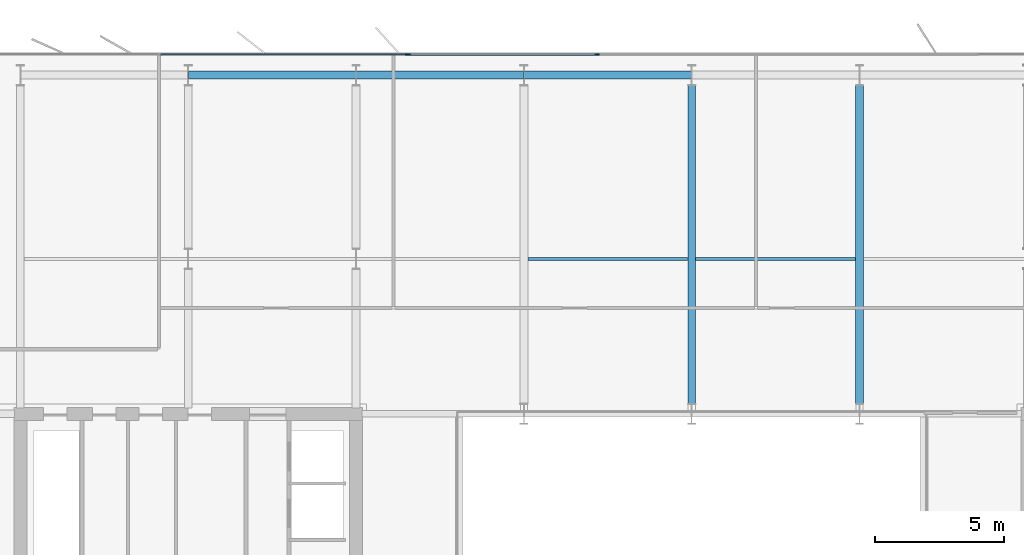
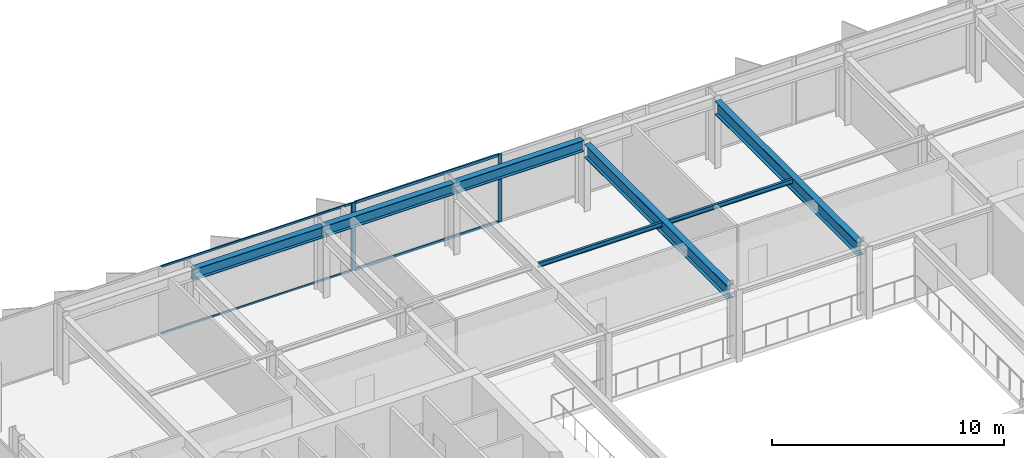
# One storey, part 11 of 23: 7 beams, 7 members, 2 elements without a shape of their own.
"""IFC4 building model written with IfcOpenShell, lengths in metres."""

from ifc_helpers import new_model, si_unit, direction, frame, origin, origin_2d, place, context, subcontext, project, spatial, rectangle, i_section, extrude, material, layer, layer_set, material_profile, profile_set, type_object, element, aggregate, save


model = new_model("IFC4")

# Units and contexts
model_context = context("Model", 3, precision=1e-05, world=origin(), true_north=direction((0.0, 1.0)))
body_context = subcontext(model_context, "Body", "Model", "MODEL_VIEW")
ifc_project = project(units=[si_unit("LENGTHUNIT", "METRE"), si_unit("AREAUNIT", "SQUARE_METRE"), si_unit("VOLUMEUNIT", "CUBIC_METRE"), si_unit("PLANEANGLEUNIT", "RADIAN"), si_unit("MASSUNIT", "GRAM", prefix="KILO")], contexts=[model_context])

# Site, building, storey
site_placement = place(None, origin())
site = spatial("IfcSite", under=ifc_project, at=site_placement, CompositionType="ELEMENT")
building_placement = place(site_placement, origin())
building = spatial("IfcBuilding", under=site, at=building_placement, Name="Putna Gate Headquarters", CompositionType="ELEMENT")
storey_placement = place(building_placement, frame((0.0, 0.0, 213.800048828125)))
storey = spatial("IfcBuildingStorey", under=building, at=storey_placement, Name="L53", CompositionType="ELEMENT", Elevation=213.800048828125)

# Beams
ifc_material_1 = material(Name="Steel S355J2", Category="steel")
ifc_material_profile_1 = material_profile(ifc_material_1, i_section(OverallWidth=0.300048828125, OverallDepth=0.699951171875, WebThickness=0.01708984375, FlangeThickness=0.031982421875, at=origin_2d()), Name="Steel S355J2")
ifc_profile_set_1 = profile_set([ifc_material_profile_1], Name="Steel S355J2")
beam_type_1 = type_object("IfcBeamType", Name="BM-GIRD-B-HEB700", PredefinedType="USERDEFINED", material=ifc_profile_set_1)
for number, where, z_axis, x_axis, name in (
    (1, (39.0, 33.39501953125, 3.22998046875), (0.0, 1.0, 0.0), (-1.0, 0.0, 0.0), "L53 North Primary Girder X39"),
    (2, (45.5, 33.39501953125, 3.22998046875), (0.0, 1.0, 0.0), (-1.0, 0.0, 0.0), "L53 North Primary Girder X45"),
):
    element("IfcBeam", number, at=place(storey_placement, frame(where, z_axis=z_axis, x_axis=x_axis)), inside=storey, type_object=beam_type_1, Name=name, ObjectType="GIRDER", PredefinedType="USERDEFINED", context=body_context, shape_type="SweptSolid", body=[
        extrude(i_section(OverallWidth=0.300048828125, OverallDepth=0.699951171875, WebThickness=0.01708984375, FlangeThickness=0.031982421875, at=origin_2d()), origin(), (0.0, 0.0, 1.0), 12.330078125),
    ])
ifc_material_profile_2 = material_profile(ifc_material_1, i_section(OverallWidth=0.1201171875, OverallDepth=0.239990234375, WebThickness=0.006103515625, FlangeThickness=0.009765625, at=origin_2d()), Name="Steel S355J2")
ifc_profile_set_2 = profile_set([ifc_material_profile_2], Name="Steel S355J2")
beam_type_2 = type_object("IfcBeamType", Name="BM-SEC-Z4-IPE240", PredefinedType="JOIST", material=ifc_profile_set_2)
for number, where, z_axis, x_axis, name in (
    (3, (32.654052734375, 39.0, 3.4599609375), (1.0, 0.0, 0.0), (0.0, 1.0, 0.0), "L53 North Secondary Beam 4"),
    (4, (39.154052734375, 39.0, 3.4599609375), (1.0, 0.0, 0.0), (0.0, 1.0, 0.0), "L53 North Secondary Beam 5"),
):
    element("IfcBeam", number, at=place(storey_placement, frame(where, z_axis=z_axis, x_axis=x_axis)), inside=storey, type_object=beam_type_2, Name=name, PredefinedType="JOIST", context=body_context, shape_type="SweptSolid", body=[
        extrude(i_section(OverallWidth=0.1201171875, OverallDepth=0.239990234375, WebThickness=0.006103515625, FlangeThickness=0.009765625, at=origin_2d()), origin(), (0.0, 0.0, 1.0), 6.19189453125),
    ])
ifc_material_profile_3 = material_profile(ifc_material_1, i_section(OverallWidth=0.300048828125, OverallDepth=0.590087890625, WebThickness=0.012939453125, FlangeThickness=0.02490234375, at=origin_2d()), Name="Steel S355J2")
ifc_profile_set_3 = profile_set([ifc_material_profile_3], Name="Steel S355J2")
beam_type_3 = type_object("IfcBeamType", Name="BM-SPAN-Z4-HEA600", PredefinedType="SPANDREL", material=ifc_profile_set_3)
for number, where, z_axis, x_axis, name in (
    (5, (19.506103515625, 46.1201171875, 3.284912109375), (1.0, 0.0, 0.0), (0.0, 1.0, 0.0), "L53 N Perimeter Spandrel 2"),
    (6, (26.006103515625, 46.1201171875, 3.284912109375), (1.0, 0.0, 0.0), (0.0, 1.0, 0.0), "L53 N Perimeter Spandrel 3"),
    (7, (32.506103515625, 46.1201171875, 3.284912109375), (1.0, 0.0, 0.0), (0.0, 1.0, 0.0), "L53 N Perimeter Spandrel 4"),
):
    element("IfcBeam", number, at=place(storey_placement, frame(where, z_axis=z_axis, x_axis=x_axis)), inside=storey, type_object=beam_type_3, Name=name, PredefinedType="SPANDREL", context=body_context, shape_type="SweptSolid", body=[
        extrude(i_section(OverallWidth=0.300048828125, OverallDepth=0.590087890625, WebThickness=0.012939453125, FlangeThickness=0.02490234375, at=origin_2d()), origin(), (0.0, 0.0, 1.0), 6.48779296875),
    ])

# Curtain wall, member
ifc_material_2 = material(Name="Anodised bronze aluminium curtain wall", Category="aluminium")
ifc_layer_1 = layer(ifc_material_2, 0.139892578125)
ifc_layer_set_1 = layer_set([ifc_layer_1], Name="Anodised bronze aluminium curtain wall")
curtain_wall_type_1 = type_object("IfcCurtainWallType", Name="CW-SYS-Z4", PredefinedType="USERDEFINED", material=ifc_layer_set_1)
curtain_wall_1_placement = place(storey_placement, origin())
curtain_wall_1 = element("IfcCurtainWall", 8, at=curtain_wall_1_placement, inside=storey, type_object=curtain_wall_type_1, Name="L53 North West Curtain Wall", ObjectType="STICK CURTAIN WALL", PredefinedType="USERDEFINED")
ifc_material_3 = material(Name="Anodised bronze aluminium EN AW-6060", Category="aluminium")
ifc_material_profile_4 = material_profile(ifc_material_3, rectangle(XDim=0.06005859375, YDim=0.139892578125, at=origin_2d()), Name="Anodised bronze aluminium EN AW-6060")
ifc_profile_set_4 = profile_set([ifc_material_profile_4], Name="Anodised bronze aluminium EN AW-6060")
member_type_1 = type_object("IfcMemberType", Name="MULL-CWM-4", PredefinedType="MULLION", material=ifc_profile_set_4)
member_1_placement = place(storey_placement, frame((27.969970703125, 46.919921875, 0.0), z_axis=(0.0, 0.0, 1.0), x_axis=(0.0, 1.0, 0.0)))
member_1 = element("IfcMember", 9, at=member_1_placement, type_object=member_type_1, Name="CWS-4 mullion 3", PredefinedType="MULLION", context=body_context, shape_type="SweptSolid", body=[
    extrude(rectangle(XDim=0.06005859375, YDim=0.139892578125, at=origin_2d()), origin(), (0.0, 0.0, 1.0), 3.579833984375),
])

# Curtain wall, members
ifc_layer_2 = layer(ifc_material_2, 0.179931640625)
ifc_layer_set_2 = layer_set([ifc_layer_2], Name="Anodised bronze aluminium curtain wall")
curtain_wall_type_2 = type_object("IfcCurtainWallType", Name="CW-SYS-ATR", PredefinedType="USERDEFINED", material=ifc_layer_set_2)
curtain_wall_2_placement = place(storey_placement, origin())
curtain_wall_2 = element("IfcCurtainWall", 10, at=curtain_wall_2_placement, inside=storey, type_object=curtain_wall_type_2, Name="L53 North Atrium Clear Glazing", ObjectType="ATRIUM GLAZING", PredefinedType="USERDEFINED")
ifc_material_profile_5 = material_profile(ifc_material_3, rectangle(XDim=0.070068359375, YDim=0.179931640625, at=origin_2d()), Name="Anodised bronze aluminium EN AW-6060")
ifc_profile_set_5 = profile_set([ifc_material_profile_5], Name="Anodised bronze aluminium EN AW-6060")
member_type_2 = type_object("IfcMemberType", Name="MULL-CWM-AT", PredefinedType="MULLION", material=ifc_profile_set_5)
member_2_placement = place(storey_placement, frame((28.034912109375, 46.919921875, 0.0), z_axis=(0.0, 0.0, 1.0), x_axis=(0.0, 1.0, 0.0)))
member_2 = element("IfcMember", 11, at=member_2_placement, type_object=member_type_2, Name="CWS-AT mullion 1", PredefinedType="MULLION", context=body_context, shape_type="SweptSolid", body=[
    extrude(rectangle(XDim=0.070068359375, YDim=0.179931640625, at=origin_2d()), origin(), (0.0, 0.0, 1.0), 3.579833984375),
])
member_3_placement = place(storey_placement, frame((35.333251953125, 46.919921875, 0.0), z_axis=(0.0, 0.0, 1.0), x_axis=(0.0, 1.0, 0.0)))
member_3 = element("IfcMember", 12, at=member_3_placement, type_object=member_type_2, Name="CWS-AT mullion 2", PredefinedType="MULLION", context=body_context, shape_type="SweptSolid", body=[
    extrude(rectangle(XDim=0.070068359375, YDim=0.179931640625, at=origin_2d()), origin(), (0.0, 0.0, 1.0), 3.579833984375),
])

# Member
ifc_material_profile_6 = material_profile(ifc_material_3, rectangle(XDim=0.06005859375, YDim=0.10009765625, at=origin_2d()), Name="Anodised bronze aluminium EN AW-6060")
ifc_profile_set_6 = profile_set([ifc_material_profile_6], Name="Anodised bronze aluminium EN AW-6060")
member_type_3 = type_object("IfcMemberType", Name="TRAN-CWT-4", PredefinedType="USERDEFINED", material=ifc_profile_set_6)
member_4_placement = place(storey_placement, frame((18.429931640625, 46.919921875, 0.030029296875), z_axis=(1.0, 0.0, 0.0), x_axis=(0.0, 1.0, 0.0)))
member_4 = element("IfcMember", 13, at=member_4_placement, type_object=member_type_3, Name="CWS-4 transom 2.1", ObjectType="TRANSOM", PredefinedType="USERDEFINED", context=body_context, shape_type="SweptSolid", body=[
    extrude(rectangle(XDim=0.06005859375, YDim=0.10009765625, at=origin_2d()), origin(), (0.0, 0.0, 1.0), 9.510009765625),
])

member_5_placement = place(storey_placement, frame((18.429931640625, 46.919921875, 3.550048828125), z_axis=(1.0, 0.0, 0.0), x_axis=(0.0, 1.0, 0.0)))
member_5 = element("IfcMember", 14, at=member_5_placement, type_object=member_type_3, Name="CWS-4 transom 2.2", ObjectType="TRANSOM", PredefinedType="USERDEFINED", context=body_context, shape_type="SweptSolid", body=[
    extrude(rectangle(XDim=0.06005859375, YDim=0.10009765625, at=origin_2d()), origin(), (0.0, 0.0, 1.0), 9.510009765625),
])

aggregate(curtain_wall_1, [member_1, member_4, member_5])

ifc_material_profile_7 = material_profile(ifc_material_3, rectangle(XDim=0.070068359375, YDim=0.139892578125, at=origin_2d()), Name="Anodised bronze aluminium EN AW-6060")
ifc_profile_set_7 = profile_set([ifc_material_profile_7], Name="Anodised bronze aluminium EN AW-6060")
member_type_4 = type_object("IfcMemberType", Name="TRAN-CWT-AT", PredefinedType="USERDEFINED", material=ifc_profile_set_7)
member_6_placement = place(storey_placement, frame((28.070068359375, 46.919921875, 0.034912109375), z_axis=(1.0, 0.0, 0.0), x_axis=(0.0, 1.0, 0.0)))
member_6 = element("IfcMember", 15, at=member_6_placement, type_object=member_type_4, Name="CWS-AT transom 1.1", ObjectType="TRANSOM", PredefinedType="USERDEFINED", context=body_context, shape_type="SweptSolid", body=[
    extrude(rectangle(XDim=0.070068359375, YDim=0.139892578125, at=origin_2d()), origin(), (0.0, 0.0, 1.0), 7.228271484375),
])

member_7_placement = place(storey_placement, frame((28.070068359375, 46.919921875, 3.544921875), z_axis=(1.0, 0.0, 0.0), x_axis=(0.0, 1.0, 0.0)))
member_7 = element("IfcMember", 16, at=member_7_placement, type_object=member_type_4, Name="CWS-AT transom 1.2", ObjectType="TRANSOM", PredefinedType="USERDEFINED", context=body_context, shape_type="SweptSolid", body=[
    extrude(rectangle(XDim=0.070068359375, YDim=0.139892578125, at=origin_2d()), origin(), (0.0, 0.0, 1.0), 7.228271484375),
])

aggregate(curtain_wall_2, [member_2, member_3, member_6, member_7])

save(model, "model.ifc")
